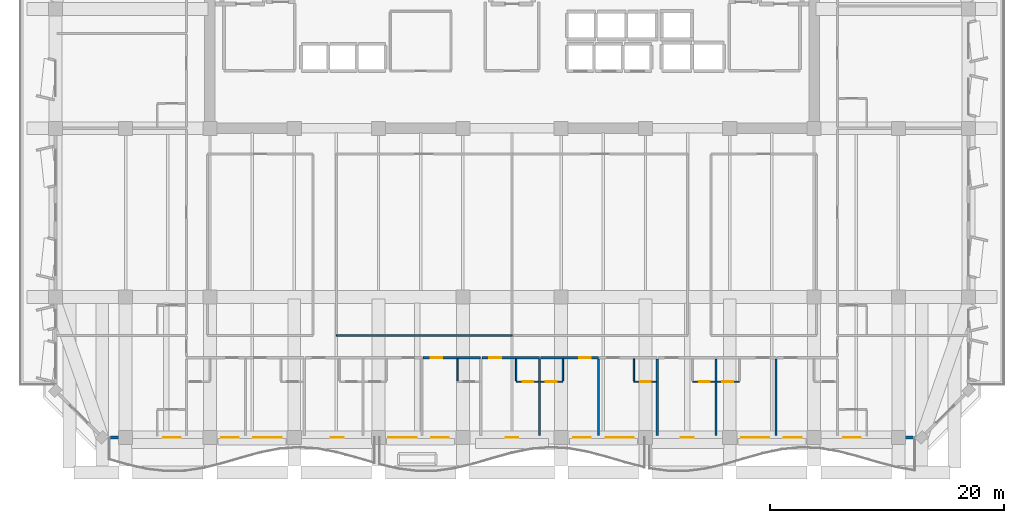
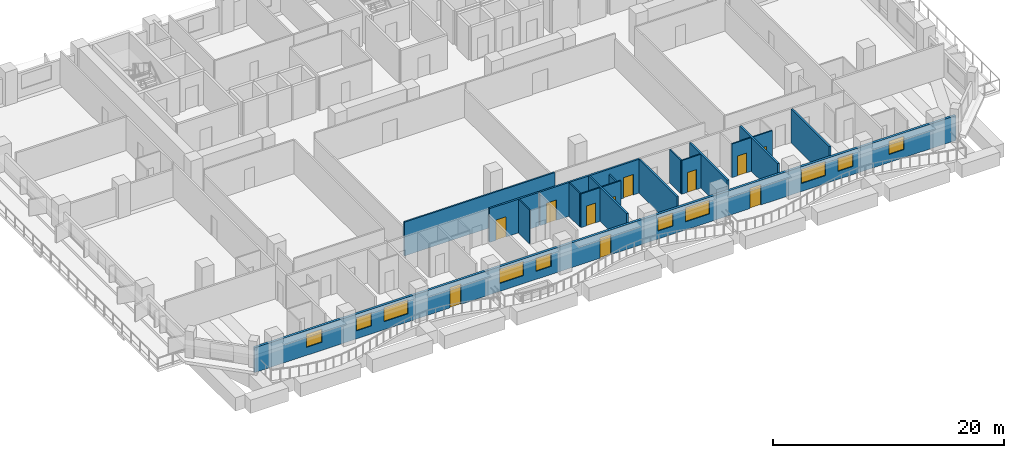
# One storey, part 6 of 16: 19 walls, 11 doors, 10 windows, 21 openings.
"""IFC4 building model written with IfcOpenShell, lengths in metres."""

import ifcopenshell
import ifcopenshell.guid

model = None  # the IFC model being written
_history = None  # IfcOwnerHistory: only IFC2X3 demands one
_inside = {}  # id of a spatial element -> (the spatial element, [elements in it])
_under = {}  # id of a project, library or spatial element -> (it, [spatial elements below it])
_declared = {}  # id of a project -> (the project, [libraries it declares])
_typed = {}  # id of a type object -> (the type object, [elements of that type])
_made_of = {}  # id of a material, layer set ... -> (it, [elements and type objects made of it])


def new_model(schema):
    """Start an empty IFC model of exactly this schema.

    Asked for "IFC4X3", IfcOpenShell would pick the latest addendum, in which some entities
    have other attributes; the version numbers below select the first issue.
    IFC2X3 requires an IfcOwnerHistory on every rooted entity: one is made here for all.
    """
    global model, _history
    if schema == "IFC4X3":
        model = ifcopenshell.file(schema_version=(4, 3, 0, 0))
    else:
        model = ifcopenshell.file(schema=schema)
    _inside.clear()
    _under.clear()
    _declared.clear()
    _typed.clear()
    _made_of.clear()
    _history = None
    if model.schema == "IFC2X3":
        org = make("IfcOrganization", Name="unknown")
        user = make(
            "IfcPersonAndOrganization",
            ThePerson=make("IfcPerson", FamilyName="unknown"),
            TheOrganization=org,
        )
        app = make(
            "IfcApplication",
            ApplicationDeveloper=org,
            Version="unknown",
            ApplicationFullName="unknown",
            ApplicationIdentifier="unknown",
        )
        _history = make(
            "IfcOwnerHistory",
            OwningUser=user,
            OwningApplication=app,
            ChangeAction="ADDED",
            CreationDate=0,
        )
    return model


def make(cls, **values):
    """One entity of the class cls with the attributes given. An attribute that is None is left unset."""
    return model.create_entity(
        cls, **{name: value for name, value in values.items() if value is not None}
    )


def rooted(cls, **values):
    """An entity with a GlobalId (a new one), such as an element, a storey or a relation."""
    return make(cls, GlobalId=ifcopenshell.guid.new(), OwnerHistory=_history, **values)


def si_unit(unit_type, name, prefix=None):
    """IfcSIUnit, for example si_unit("LENGTHUNIT", "METRE", prefix="MILLI")."""
    return make("IfcSIUnit", UnitType=unit_type, Prefix=prefix, Name=name)


def assignment(units):
    """IfcUnitAssignment: the units of a project."""
    return None if units is None else make("IfcUnitAssignment", Units=units)


def point(xyz):
    """IfcCartesianPoint."""
    return None if xyz is None else make("IfcCartesianPoint", Coordinates=xyz)


def direction(xyz):
    """IfcDirection."""
    return None if xyz is None else make("IfcDirection", DirectionRatios=xyz)


def frame(location, z_axis=None, x_axis=None):
    """IfcAxis2Placement3D, a coordinate frame: its origin and axes. An axis left out is left unset."""
    return make(
        "IfcAxis2Placement3D",
        Location=point(location),
        Axis=direction(z_axis),
        RefDirection=direction(x_axis),
    )


def frame_2d(location, x_axis=None):
    """IfcAxis2Placement2D, a coordinate frame in the plane: its origin and x axis."""
    return make(
        "IfcAxis2Placement2D", Location=point(location), RefDirection=direction(x_axis)
    )


def origin():
    """The frame at (0, 0, 0) with its axes left unset."""
    return frame((0.0, 0.0, 0.0))


def place(relative_to, where):
    """IfcLocalPlacement: puts the frame where relative to a parent placement (None: the world)."""
    return make(
        "IfcLocalPlacement", PlacementRelTo=relative_to, RelativePlacement=where
    )


def context(
    kind, dimensions, precision=None, world=None, true_north=None, identifier=None
):
    """IfcGeometricRepresentationContext, for example the 3D "Model" context."""
    return make(
        "IfcGeometricRepresentationContext",
        ContextIdentifier=identifier,
        ContextType=kind,
        CoordinateSpaceDimension=dimensions,
        Precision=precision,
        WorldCoordinateSystem=world,
        TrueNorth=true_north,
    )


def subcontext(parent, identifier, kind, view, scale=None):
    """IfcGeometricRepresentationSubContext, for example "Body" below "Model"."""
    return make(
        "IfcGeometricRepresentationSubContext",
        ContextIdentifier=identifier,
        ContextType=kind,
        ParentContext=parent,
        TargetScale=scale,
        TargetView=view,
    )


def project(units=None, contexts=None):
    """IfcProject with its units and contexts."""
    return rooted(
        "IfcProject",
        Name="project",
        RepresentationContexts=contexts,
        UnitsInContext=assignment(units),
    )


def spatial(cls, under=None, at=None, **own):
    """A site, building, storey or space (cls), placed at a placement, below another one or the project."""
    s = rooted(cls, ObjectPlacement=at, **own)
    if under is not None:
        _under.setdefault(under.id(), (under, []))[1].append(s)
    return s


def profile(cls, at=None, kind="AREA", **sizes):
    """A parametric profile (cls). Its sizes go by their IFC names, for example OverallWidth=200.0."""
    return make(cls, ProfileType=kind, Position=at, **sizes)


def rectangle(**sizes):
    """IfcRectangleProfileDef."""
    return profile("IfcRectangleProfileDef", **sizes)


def extrude(swept, where, along, depth):
    """IfcExtrudedAreaSolid: the profile swept, set in the frame where, extruded along a direction by depth."""
    return make(
        "IfcExtrudedAreaSolid",
        SweptArea=swept,
        Position=where,
        ExtrudedDirection=direction(along),
        Depth=depth,
    )


def shape(context_of_items, identifier, shape_type, items):
    """IfcShapeRepresentation: the items that make up one representation, for example the "Body"."""
    return make(
        "IfcShapeRepresentation",
        ContextOfItems=context_of_items,
        RepresentationIdentifier=identifier,
        RepresentationType=shape_type,
        Items=items,
    )


def material(Name=None, Category=None):
    """IfcMaterial."""
    return make("IfcMaterial", Name=Name, Category=Category)


def layer(
    of_material, thickness, ventilated=None, Name=None, Category=None, Priority=None
):
    """IfcMaterialLayer: one layer of a wall or slab, of a material (None: an air gap)."""
    return make(
        "IfcMaterialLayer",
        Material=of_material,
        LayerThickness=thickness,
        IsVentilated=ventilated,
        Name=Name,
        Category=Category,
        Priority=Priority,
    )


def layer_set(layers, Name=None):
    """IfcMaterialLayerSet."""
    return make("IfcMaterialLayerSet", MaterialLayers=layers, LayerSetName=Name)


def made_of(thing, what):
    """Note that an element or type object is made of a material, layer set ...; save() writes the relation."""
    if what is not None:
        _made_of.setdefault(what.id(), (what, []))[1].append(thing)
    return thing


def type_object(cls, material=None, **own):
    """A type object (cls), such as IfcWallType, which elements share."""
    return made_of(rooted(cls, **own), material)


def element(
    cls,
    number,
    at=None,
    inside=None,
    cuts=None,
    type_object=None,
    material=None,
    context=None,
    identifier="Body",
    shape_type=None,
    held_by="IfcProductDefinitionShape",
    body=None,
    shapes=None,
    **own,
):
    """One element of the class cls, such as IfcWall. Its Tag is "e" and its number.

    at: its placement. inside: the storey or other place that contains it. cuts: it is an
    opening in that element (IfcRelVoidsElement). A single representation is given by context,
    identifier, shape_type and body (its items); several are given by shapes. held_by: the class
    of the entity that holds the representations. save() writes the other relations.
    """
    e = rooted(cls, Tag="e%d" % number, ObjectPlacement=at, **own)
    if body is not None:
        shapes = [shape(context, identifier, shape_type, body)]
    if shapes is not None:
        e.Representation = make(held_by, Representations=shapes)
    if inside is not None:
        _inside.setdefault(inside.id(), (inside, []))[1].append(e)
    if cuts is not None:
        rooted(
            "IfcRelVoidsElement", RelatingBuildingElement=cuts, RelatedOpeningElement=e
        )
    if type_object is not None:
        _typed.setdefault(type_object.id(), (type_object, []))[1].append(e)
    return made_of(e, material)


def fill(opening, filler):
    """IfcRelFillsElement: the door or window that sits in an opening."""
    return rooted(
        "IfcRelFillsElement",
        RelatingOpeningElement=opening,
        RelatedBuildingElement=filler,
    )


def aggregate(whole, parts):
    """IfcRelAggregates: a whole, such as a stair, and the parts it consists of."""
    return rooted("IfcRelAggregates", RelatingObject=whole, RelatedObjects=parts)


def save(model, path):
    """Write the relations noted so far, then the file.

    IfcRelAggregates (storeys below a building ...), IfcRelContainedInSpatialStructure (elements
    in a storey), IfcRelDefinesByType, IfcRelAssociatesMaterial and IfcRelDeclares: one each for
    every whole, place, type object, material and project.
    """
    for whole, parts in _under.values():
        aggregate(whole, parts)
    for where, things in _inside.values():
        rooted(
            "IfcRelContainedInSpatialStructure",
            RelatedElements=things,
            RelatingStructure=where,
        )
    for kind, things in _typed.values():
        rooted("IfcRelDefinesByType", RelatedObjects=things, RelatingType=kind)
    for what, things in _made_of.values():
        rooted("IfcRelAssociatesMaterial", RelatedObjects=things, RelatingMaterial=what)
    for by, libraries in _declared.values():
        rooted("IfcRelDeclares", RelatingContext=by, RelatedDefinitions=libraries)
    model.write(path)


model = new_model("IFC4")

# Units and contexts
model_context = context("Model", 3, precision=1e-05, world=origin(), true_north=direction((0.0, 1.0)))
body_context = subcontext(model_context, "Body", "Model", "MODEL_VIEW")
ifc_project = project(units=[si_unit("LENGTHUNIT", "METRE"), si_unit("AREAUNIT", "SQUARE_METRE"), si_unit("VOLUMEUNIT", "CUBIC_METRE"), si_unit("PLANEANGLEUNIT", "RADIAN"), si_unit("MASSUNIT", "GRAM", prefix="KILO")], contexts=[model_context])

# Site, building, storey
site_placement = place(None, origin())
site = spatial("IfcSite", under=ifc_project, at=site_placement, CompositionType="ELEMENT")
building_placement = place(site_placement, origin())
building = spatial("IfcBuilding", under=site, at=building_placement, Name="Kaelvorn Grand Hotel", CompositionType="ELEMENT")
storey_placement = place(building_placement, frame((0.0, 0.0, 135.35009765625)))
storey = spatial("IfcBuildingStorey", under=building, at=storey_placement, Name="L32", CompositionType="ELEMENT", Elevation=135.35009765625)

# Wall, openings, doors, windows
ifc_material_1 = material(Name="Concrete C40/50", Category="concrete")
ifc_layer_1 = layer(ifc_material_1, 0.239990234375)
ifc_layer_set_1 = layer_set([ifc_layer_1], Name="Concrete C40/50")
wall_type_1 = type_object("IfcWallType", Name="WL-EXT-240-C40", PredefinedType="SOLIDWALL", material=ifc_layer_set_1)
wall_1_placement = place(storey_placement, frame((7.0, 3.0, 0.0), z_axis=(0.0, 0.0, 1.0), x_axis=(1.0, 0.0, 0.0)))
wall_1 = element("IfcWall", 1, at=wall_1_placement, inside=storey, type_object=wall_type_1, Name="L32 Exterior Architectural Concrete Wall 01", PredefinedType="SOLIDWALL", context=body_context, shape_type="SweptSolid", body=[
    extrude(rectangle(XDim=70.0, YDim=0.239990234375, at=frame_2d((35.0, 0.0))), origin(), (0.0, 0.0, 1.0), 2.60986328125),
])
opening_1_placement = place(wall_1_placement, frame((19.5166015625, 0.0, 0.0)))
opening_1 = element("IfcOpeningElement", 2, at=opening_1_placement, cuts=wall_1, Name="Opening DE2", PredefinedType="OPENING", context=body_context, shape_type="SweptSolid", body=[
    extrude(rectangle(XDim=1.10009765625, YDim=2.14990234375, at=frame_2d((0.550048828125, 1.074951171875))), frame((0.0, 0.1298828125, 0.0), z_axis=(0.0, -1.0, 0.0), x_axis=(1.0, 0.0, 0.0)), (0.0, 0.0, 1.0), 0.260009765625),
])
opening_2_placement = place(wall_1_placement, frame((34.449951171875, 0.0, 0.0)))
opening_2 = element("IfcOpeningElement", 3, at=opening_2_placement, cuts=wall_1, Name="Opening DE2", PredefinedType="OPENING", context=body_context, shape_type="SweptSolid", body=[
    extrude(rectangle(XDim=1.10009765625, YDim=2.14990234375, at=frame_2d((0.550048828125, 1.074951171875))), frame((0.0, 0.1298828125, 0.0), z_axis=(0.0, -1.0, 0.0), x_axis=(1.0, 0.0, 0.0)), (0.0, 0.0, 1.0), 0.260009765625),
])
opening_3_placement = place(wall_1_placement, frame((49.42138671875, 0.0, 0.0)))
opening_3 = element("IfcOpeningElement", 4, at=opening_3_placement, cuts=wall_1, Name="Opening DE2", PredefinedType="OPENING", context=body_context, shape_type="SweptSolid", body=[
    extrude(rectangle(XDim=1.10009765625, YDim=2.14990234375, at=frame_2d((0.550048828125, 1.074951171875))), frame((0.0, 0.1298828125, 0.0), z_axis=(0.0, -1.0, 0.0), x_axis=(1.0, 0.0, 0.0)), (0.0, 0.0, 1.0), 0.260009765625),
])
opening_4_placement = place(wall_1_placement, frame((5.199951171875, 0.0, 0.85009765625)))
opening_4 = element("IfcOpeningElement", 5, at=opening_4_placement, cuts=wall_1, Name="Opening W10", PredefinedType="OPENING", context=body_context, shape_type="SweptSolid", body=[
    extrude(rectangle(XDim=1.5, YDim=1.39990234375, at=frame_2d((0.75, 0.699951171875))), frame((0.0, 0.1298828125, 0.0), z_axis=(0.0, -1.0, 0.0), x_axis=(1.0, 0.0, 0.0)), (0.0, 0.0, 1.0), 0.260009765625),
])
opening_5_placement = place(wall_1_placement, frame((10.16259765625, 0.0, 0.85009765625)))
opening_5 = element("IfcOpeningElement", 6, at=opening_5_placement, cuts=wall_1, Name="Opening W10", PredefinedType="OPENING", context=body_context, shape_type="SweptSolid", body=[
    extrude(rectangle(XDim=1.5, YDim=1.39990234375, at=frame_2d((0.75, 0.699951171875))), frame((0.0, 0.1298828125, 0.0), z_axis=(0.0, -1.0, 0.0), x_axis=(1.0, 0.0, 0.0)), (0.0, 0.0, 1.0), 0.260009765625),
])
opening_6_placement = place(wall_1_placement, frame((12.91259765625, 0.0, 0.85009765625)))
opening_6 = element("IfcOpeningElement", 7, at=opening_6_placement, cuts=wall_1, Name="Opening W6", PredefinedType="OPENING", context=body_context, shape_type="SweptSolid", body=[
    extrude(rectangle(XDim=2.39990234375, YDim=1.5, at=frame_2d((1.199951171875, 0.75))), frame((0.0, 0.1298828125, 0.0), z_axis=(0.0, -1.0, 0.0), x_axis=(1.0, 0.0, 0.0)), (0.0, 0.0, 1.0), 0.260009765625),
])
opening_7_placement = place(wall_1_placement, frame((24.450439453125, 0.0, 0.85009765625)))
opening_7 = element("IfcOpeningElement", 8, at=opening_7_placement, cuts=wall_1, Name="Opening W6", PredefinedType="OPENING", context=body_context, shape_type="SweptSolid", body=[
    extrude(rectangle(XDim=2.39990234375, YDim=1.5, at=frame_2d((1.199951171875, 0.75))), frame((0.0, 0.1298828125, 0.0), z_axis=(0.0, -1.0, 0.0), x_axis=(1.0, 0.0, 0.0)), (0.0, 0.0, 1.0), 0.260009765625),
])
opening_8_placement = place(wall_1_placement, frame((28.1005859375, 0.0, 0.85009765625)))
opening_8 = element("IfcOpeningElement", 9, at=opening_8_placement, cuts=wall_1, Name="Opening W10", PredefinedType="OPENING", context=body_context, shape_type="SweptSolid", body=[
    extrude(rectangle(XDim=1.5, YDim=1.39990234375, at=frame_2d((0.75, 0.699951171875))), frame((0.0, 0.1298828125, 0.0), z_axis=(0.0, -1.0, 0.0), x_axis=(1.0, 0.0, 0.0)), (0.0, 0.0, 1.0), 0.260009765625),
])
opening_9_placement = place(wall_1_placement, frame((40.239013671875, 0.0, 0.85009765625)))
opening_9 = element("IfcOpeningElement", 10, at=opening_9_placement, cuts=wall_1, Name="Opening W10", PredefinedType="OPENING", context=body_context, shape_type="SweptSolid", body=[
    extrude(rectangle(XDim=1.5, YDim=1.39990234375, at=frame_2d((0.75, 0.699951171875))), frame((0.0, 0.1298828125, 0.0), z_axis=(0.0, -1.0, 0.0), x_axis=(1.0, 0.0, 0.0)), (0.0, 0.0, 1.0), 0.260009765625),
])
opening_10_placement = place(wall_1_placement, frame((42.989013671875, 0.0, 0.85009765625)))
opening_10 = element("IfcOpeningElement", 11, at=opening_10_placement, cuts=wall_1, Name="Opening W6", PredefinedType="OPENING", context=body_context, shape_type="SweptSolid", body=[
    extrude(rectangle(XDim=2.39990234375, YDim=1.5, at=frame_2d((1.199951171875, 0.75))), frame((0.0, 0.1298828125, 0.0), z_axis=(0.0, -1.0, 0.0), x_axis=(1.0, 0.0, 0.0)), (0.0, 0.0, 1.0), 0.260009765625),
])
opening_11_placement = place(wall_1_placement, frame((54.58056640625, 0.0, 0.85009765625)))
opening_11 = element("IfcOpeningElement", 12, at=opening_11_placement, cuts=wall_1, Name="Opening W6", PredefinedType="OPENING", context=body_context, shape_type="SweptSolid", body=[
    extrude(rectangle(XDim=2.39990234375, YDim=1.5, at=frame_2d((1.199951171875, 0.75))), frame((0.0, 0.1298828125, 0.0), z_axis=(0.0, -1.0, 0.0), x_axis=(1.0, 0.0, 0.0)), (0.0, 0.0, 1.0), 0.260009765625),
])
opening_12_placement = place(wall_1_placement, frame((58.23046875, 0.0, 0.85009765625)))
opening_12 = element("IfcOpeningElement", 13, at=opening_12_placement, cuts=wall_1, Name="Opening W10", PredefinedType="OPENING", context=body_context, shape_type="SweptSolid", body=[
    extrude(rectangle(XDim=1.5, YDim=1.39990234375, at=frame_2d((0.75, 0.699951171875))), frame((0.0, 0.1298828125, 0.0), z_axis=(0.0, -1.0, 0.0), x_axis=(1.0, 0.0, 0.0)), (0.0, 0.0, 1.0), 0.260009765625),
])
opening_13_placement = place(wall_1_placement, frame((63.300048828125, 0.0, 0.85009765625)))
opening_13 = element("IfcOpeningElement", 14, at=opening_13_placement, cuts=wall_1, Name="Opening W10", PredefinedType="OPENING", context=body_context, shape_type="SweptSolid", body=[
    extrude(rectangle(XDim=1.5, YDim=1.39990234375, at=frame_2d((0.75, 0.699951171875))), frame((0.0, 0.1298828125, 0.0), z_axis=(0.0, -1.0, 0.0), x_axis=(1.0, 0.0, 0.0)), (0.0, 0.0, 1.0), 0.260009765625),
])
ifc_material_2 = material(Name="Anodised Aluminium", Category="aluminium")
door_type_1 = type_object("IfcDoorType", Name="DR-EXT-BALC-1100x2150", OperationType="NOTDEFINED", PredefinedType="DOOR", material=ifc_material_2)
door_1_placement = place(opening_1_placement, origin())
door_1 = element("IfcDoor", 15, at=door_1_placement, inside=storey, type_object=door_type_1, Name="L32 Scalloped Balcony Glazed Door DE2-1", OperationType="SINGLE_SWING_RIGHT", OverallHeight=2.14990234375, OverallWidth=1.10009765625, PredefinedType="DOOR", context=body_context, shape_type="SweptSolid", body=[
    extrude(rectangle(XDim=1.10009765625, YDim=2.14990234375, at=frame_2d((0.550048828125, 1.074951171875))), frame((0.0, 0.02490234375, 0.0), z_axis=(0.0, -1.0, 0.0), x_axis=(1.0, 0.0, 0.0)), (0.0, 0.0, 1.0), 0.050048828125),
])
fill(opening_1, door_1)
door_2_placement = place(opening_2_placement, origin())
door_2 = element("IfcDoor", 16, at=door_2_placement, inside=storey, type_object=door_type_1, Name="L32 Scalloped Balcony Glazed Door DE2-2", OperationType="SINGLE_SWING_LEFT", OverallHeight=2.14990234375, OverallWidth=1.10009765625, PredefinedType="DOOR", context=body_context, shape_type="SweptSolid", body=[
    extrude(rectangle(XDim=1.10009765625, YDim=2.14990234375, at=frame_2d((0.550048828125, 1.074951171875))), frame((0.0, 0.02490234375, 0.0), z_axis=(0.0, -1.0, 0.0), x_axis=(1.0, 0.0, 0.0)), (0.0, 0.0, 1.0), 0.050048828125),
])
fill(opening_2, door_2)
door_3_placement = place(opening_3_placement, origin())
door_3 = element("IfcDoor", 17, at=door_3_placement, inside=storey, type_object=door_type_1, Name="L32 Scalloped Balcony Glazed Door DE2-3", OperationType="SINGLE_SWING_RIGHT", OverallHeight=2.14990234375, OverallWidth=1.10009765625, PredefinedType="DOOR", context=body_context, shape_type="SweptSolid", body=[
    extrude(rectangle(XDim=1.10009765625, YDim=2.14990234375, at=frame_2d((0.550048828125, 1.074951171875))), frame((0.0, 0.02490234375, 0.0), z_axis=(0.0, -1.0, 0.0), x_axis=(1.0, 0.0, 0.0)), (0.0, 0.0, 1.0), 0.050048828125),
])
fill(opening_3, door_3)
ifc_material_3 = material(Name="Laminated Low-E Glass", Category="glass")
window_type_1 = type_object("IfcWindowType", Name="WIN-COR-1500x1400", PartitioningType="SINGLE_PANEL", PredefinedType="WINDOW", material=ifc_material_3)
window_1_placement = place(opening_4_placement, origin())
window_1 = element("IfcWindow", 18, at=window_1_placement, inside=storey, type_object=window_type_1, Name="L32 South Guestroom Ribbon Window SR01", OverallHeight=1.39990234375, OverallWidth=1.5, PartitioningType="SINGLE_PANEL", PredefinedType="WINDOW", context=body_context, shape_type="SweptSolid", body=[
    extrude(rectangle(XDim=1.5, YDim=1.39990234375, at=frame_2d((0.75, 0.699951171875))), frame((0.0, 0.030029296875, 0.0), z_axis=(0.0, -1.0, 0.0), x_axis=(1.0, 0.0, 0.0)), (0.0, 0.0, 1.0), 0.06005859375),
])
fill(opening_4, window_1)
window_2_placement = place(opening_5_placement, origin())
window_2 = element("IfcWindow", 19, at=window_2_placement, inside=storey, type_object=window_type_1, Name="L32 South Guestroom Ribbon Window SR02", OverallHeight=1.39990234375, OverallWidth=1.5, PartitioningType="SINGLE_PANEL", PredefinedType="WINDOW", context=body_context, shape_type="SweptSolid", body=[
    extrude(rectangle(XDim=1.5, YDim=1.39990234375, at=frame_2d((0.75, 0.699951171875))), frame((0.0, 0.030029296875, 0.0), z_axis=(0.0, -1.0, 0.0), x_axis=(1.0, 0.0, 0.0)), (0.0, 0.0, 1.0), 0.06005859375),
])
fill(opening_5, window_2)
window_3_placement = place(opening_8_placement, origin())
window_3 = element("IfcWindow", 20, at=window_3_placement, inside=storey, type_object=window_type_1, Name="L32 South Guestroom Ribbon Window SR05", OverallHeight=1.39990234375, OverallWidth=1.5, PartitioningType="SINGLE_PANEL", PredefinedType="WINDOW", context=body_context, shape_type="SweptSolid", body=[
    extrude(rectangle(XDim=1.5, YDim=1.39990234375, at=frame_2d((0.75, 0.699951171875))), frame((0.0, 0.030029296875, 0.0), z_axis=(0.0, -1.0, 0.0), x_axis=(1.0, 0.0, 0.0)), (0.0, 0.0, 1.0), 0.06005859375),
])
fill(opening_8, window_3)
window_4_placement = place(opening_9_placement, origin())
window_4 = element("IfcWindow", 21, at=window_4_placement, inside=storey, type_object=window_type_1, Name="L32 South Guestroom Ribbon Window SR06", OverallHeight=1.39990234375, OverallWidth=1.5, PartitioningType="SINGLE_PANEL", PredefinedType="WINDOW", context=body_context, shape_type="SweptSolid", body=[
    extrude(rectangle(XDim=1.5, YDim=1.39990234375, at=frame_2d((0.75, 0.699951171875))), frame((0.0, 0.030029296875, 0.0), z_axis=(0.0, -1.0, 0.0), x_axis=(1.0, 0.0, 0.0)), (0.0, 0.0, 1.0), 0.06005859375),
])
fill(opening_9, window_4)
window_5_placement = place(opening_12_placement, origin())
window_5 = element("IfcWindow", 22, at=window_5_placement, inside=storey, type_object=window_type_1, Name="L32 South Guestroom Ribbon Window SR09", OverallHeight=1.39990234375, OverallWidth=1.5, PartitioningType="SINGLE_PANEL", PredefinedType="WINDOW", context=body_context, shape_type="SweptSolid", body=[
    extrude(rectangle(XDim=1.5, YDim=1.39990234375, at=frame_2d((0.75, 0.699951171875))), frame((0.0, 0.030029296875, 0.0), z_axis=(0.0, -1.0, 0.0), x_axis=(1.0, 0.0, 0.0)), (0.0, 0.0, 1.0), 0.06005859375),
])
fill(opening_12, window_5)
window_6_placement = place(opening_13_placement, origin())
window_6 = element("IfcWindow", 23, at=window_6_placement, inside=storey, type_object=window_type_1, Name="L32 South Guestroom Ribbon Window SR10", OverallHeight=1.39990234375, OverallWidth=1.5, PartitioningType="SINGLE_PANEL", PredefinedType="WINDOW", context=body_context, shape_type="SweptSolid", body=[
    extrude(rectangle(XDim=1.5, YDim=1.39990234375, at=frame_2d((0.75, 0.699951171875))), frame((0.0, 0.030029296875, 0.0), z_axis=(0.0, -1.0, 0.0), x_axis=(1.0, 0.0, 0.0)), (0.0, 0.0, 1.0), 0.06005859375),
])
fill(opening_13, window_6)
window_type_2 = type_object("IfcWindowType", Name="WIN-NTH-2400x1500", PartitioningType="SINGLE_PANEL", PredefinedType="WINDOW", material=ifc_material_3)
window_7_placement = place(opening_6_placement, origin())
window_7 = element("IfcWindow", 24, at=window_7_placement, inside=storey, type_object=window_type_2, Name="L32 South Guestroom Ribbon Window SR03", OverallHeight=1.5, OverallWidth=2.39990234375, PartitioningType="SINGLE_PANEL", PredefinedType="WINDOW", context=body_context, shape_type="SweptSolid", body=[
    extrude(rectangle(XDim=2.39990234375, YDim=1.5, at=frame_2d((1.199951171875, 0.75))), frame((0.0, 0.030029296875, 0.0), z_axis=(0.0, -1.0, 0.0), x_axis=(1.0, 0.0, 0.0)), (0.0, 0.0, 1.0), 0.06005859375),
])
fill(opening_6, window_7)
window_8_placement = place(opening_7_placement, origin())
window_8 = element("IfcWindow", 25, at=window_8_placement, inside=storey, type_object=window_type_2, Name="L32 South Guestroom Ribbon Window SR04", OverallHeight=1.5, OverallWidth=2.39990234375, PartitioningType="SINGLE_PANEL", PredefinedType="WINDOW", context=body_context, shape_type="SweptSolid", body=[
    extrude(rectangle(XDim=2.39990234375, YDim=1.5, at=frame_2d((1.199951171875, 0.75))), frame((0.0, 0.030029296875, 0.0), z_axis=(0.0, -1.0, 0.0), x_axis=(1.0, 0.0, 0.0)), (0.0, 0.0, 1.0), 0.06005859375),
])
fill(opening_7, window_8)
window_9_placement = place(opening_10_placement, origin())
window_9 = element("IfcWindow", 26, at=window_9_placement, inside=storey, type_object=window_type_2, Name="L32 South Guestroom Ribbon Window SR07", OverallHeight=1.5, OverallWidth=2.39990234375, PartitioningType="SINGLE_PANEL", PredefinedType="WINDOW", context=body_context, shape_type="SweptSolid", body=[
    extrude(rectangle(XDim=2.39990234375, YDim=1.5, at=frame_2d((1.199951171875, 0.75))), frame((0.0, 0.030029296875, 0.0), z_axis=(0.0, -1.0, 0.0), x_axis=(1.0, 0.0, 0.0)), (0.0, 0.0, 1.0), 0.06005859375),
])
fill(opening_10, window_9)
window_10_placement = place(opening_11_placement, origin())
window_10 = element("IfcWindow", 27, at=window_10_placement, inside=storey, type_object=window_type_2, Name="L32 South Guestroom Ribbon Window SR08", OverallHeight=1.5, OverallWidth=2.39990234375, PartitioningType="SINGLE_PANEL", PredefinedType="WINDOW", context=body_context, shape_type="SweptSolid", body=[
    extrude(rectangle(XDim=2.39990234375, YDim=1.5, at=frame_2d((1.199951171875, 0.75))), frame((0.0, 0.030029296875, 0.0), z_axis=(0.0, -1.0, 0.0), x_axis=(1.0, 0.0, 0.0)), (0.0, 0.0, 1.0), 0.06005859375),
])
fill(opening_11, window_10)

# Wall
ifc_material_4 = material(Name="Moisture-Resistant Tile & Stud Board")
ifc_layer_2 = layer(ifc_material_4, 0.125)
ifc_layer_set_2 = layer_set([ifc_layer_2], Name="Moisture-Resistant Tile & Stud Board")
wall_type_2 = type_object("IfcWallType", Name="WL-PART-125-WET", PredefinedType="PARTITIONING", material=ifc_layer_set_2)
wall_2_placement = place(storey_placement, frame((37.326904296875, 7.8173828125, 0.0), z_axis=(0.0, 0.0, 1.0), x_axis=(0.0, 1.0, 0.0)))
element("IfcWall", 28, at=wall_2_placement, inside=storey, type_object=wall_type_2, Name="L32 En-suite Bathroom L32-05 W Partition", PredefinedType="PARTITIONING", context=body_context, shape_type="SweptSolid", body=[
    extrude(rectangle(XDim=1.8876953125, YDim=0.125, at=frame_2d((0.94384765625, 0.0))), origin(), (0.0, 0.0, 1.0), 3.559814453125),
])

# Wall, opening, door
wall_3_placement = place(storey_placement, frame((42.352294921875, 7.75, 0.0), z_axis=(0.0, 0.0, 1.0), x_axis=(1.0, 0.0, 0.0)))
wall_3 = element("IfcWall", 29, at=wall_3_placement, inside=storey, type_object=wall_type_2, Name="L32 En-suite Bathroom L32-06 S Partition", PredefinedType="PARTITIONING", context=body_context, shape_type="SweptSolid", body=[
    extrude(rectangle(XDim=1.905029296875, YDim=0.125, at=frame_2d((0.95263671875, 0.0))), origin(), (0.0, 0.0, 1.0), 3.559814453125),
])
opening_14_placement = place(wall_3_placement, frame((0.550048828125, 0.0, 0.0)))
opening_14 = element("IfcOpeningElement", 30, at=opening_14_placement, cuts=wall_3, Name="Opening DI4", PredefinedType="OPENING", context=body_context, shape_type="SweptSolid", body=[
    extrude(rectangle(XDim=0.89990234375, YDim=2.10009765625, at=frame_2d((0.449951171875, 1.050048828125))), frame((0.0, 0.072509765625, 0.0), z_axis=(0.0, -1.0, 0.0), x_axis=(1.0, 0.0, 0.0)), (0.0, 0.0, 1.0), 0.14501953125),
])
ifc_material_5 = material(Name="Timber Veneer Leaf", Category="wood")
door_type_2 = type_object("IfcDoorType", Name="DR-INT-BATH-900x2100", OperationType="NOTDEFINED", PredefinedType="DOOR", material=ifc_material_5)
door_4_placement = place(opening_14_placement, origin())
door_4 = element("IfcDoor", 31, at=door_4_placement, inside=storey, type_object=door_type_2, Name="L32 En-suite Bathroom L32-06 Door", OperationType="SINGLE_SWING_RIGHT", OverallHeight=2.10009765625, OverallWidth=0.89990234375, PredefinedType="DOOR", context=body_context, shape_type="SweptSolid", body=[
    extrude(rectangle(XDim=0.89990234375, YDim=2.10009765625, at=frame_2d((0.449951171875, 1.050048828125))), frame((0.0, 0.02490234375, 0.0), z_axis=(0.0, -1.0, 0.0), x_axis=(1.0, 0.0, 0.0)), (0.0, 0.0, 1.0), 0.050048828125),
])
fill(opening_14, door_4)

# Wall
wall_4_placement = place(storey_placement, frame((42.352294921875, 7.8173828125, 0.0), z_axis=(0.0, 0.0, 1.0), x_axis=(0.0, 1.0, 0.0)))
element("IfcWall", 32, at=wall_4_placement, inside=storey, type_object=wall_type_2, Name="L32 En-suite Bathroom L32-06 W Partition", PredefinedType="PARTITIONING", context=body_context, shape_type="SweptSolid", body=[
    extrude(rectangle(XDim=1.8876953125, YDim=0.125, at=frame_2d((0.94384765625, 0.0))), origin(), (0.0, 0.0, 1.0), 3.559814453125),
])

# Wall, opening, door
wall_5_placement = place(storey_placement, frame((44.447265625, 7.75, 0.0), z_axis=(0.0, 0.0, 1.0), x_axis=(1.0, 0.0, 0.0)))
wall_5 = element("IfcWall", 33, at=wall_5_placement, inside=storey, type_object=wall_type_2, Name="L32 En-suite Bathroom L32-07 S Partition", PredefinedType="PARTITIONING", context=body_context, shape_type="SweptSolid", body=[
    extrude(rectangle(XDim=1.905029296875, YDim=0.125, at=frame_2d((0.95263671875, 0.0))), origin(), (0.0, 0.0, 1.0), 3.559814453125),
])
opening_15_placement = place(wall_5_placement, frame((0.455078125, 0.0, 0.0)))
opening_15 = element("IfcOpeningElement", 34, at=opening_15_placement, cuts=wall_5, Name="Opening DI4", PredefinedType="OPENING", context=body_context, shape_type="SweptSolid", body=[
    extrude(rectangle(XDim=0.89990234375, YDim=2.10009765625, at=frame_2d((0.449951171875, 1.050048828125))), frame((0.0, 0.072509765625, 0.0), z_axis=(0.0, -1.0, 0.0), x_axis=(1.0, 0.0, 0.0)), (0.0, 0.0, 1.0), 0.14501953125),
])
door_5_placement = place(opening_15_placement, origin())
door_5 = element("IfcDoor", 35, at=door_5_placement, inside=storey, type_object=door_type_2, Name="L32 En-suite Bathroom L32-07 Door", OperationType="SINGLE_SWING_RIGHT", OverallHeight=2.10009765625, OverallWidth=0.89990234375, PredefinedType="DOOR", context=body_context, shape_type="SweptSolid", body=[
    extrude(rectangle(XDim=0.89990234375, YDim=2.10009765625, at=frame_2d((0.449951171875, 1.050048828125))), frame((0.0, 0.02490234375, 0.0), z_axis=(0.0, -1.0, 0.0), x_axis=(1.0, 0.0, 0.0)), (0.0, 0.0, 1.0), 0.050048828125),
])
fill(opening_15, door_5)

# Wall
wall_6_placement = place(storey_placement, frame((46.352294921875, 7.8173828125, 0.0), z_axis=(0.0, 0.0, 1.0), x_axis=(0.0, 1.0, 0.0)))
element("IfcWall", 36, at=wall_6_placement, inside=storey, type_object=wall_type_2, Name="L32 En-suite Bathroom L32-07 E Partition", PredefinedType="PARTITIONING", context=body_context, shape_type="SweptSolid", body=[
    extrude(rectangle(XDim=1.8876953125, YDim=0.125, at=frame_2d((0.94384765625, 0.0))), origin(), (0.0, 0.0, 1.0), 3.010009765625),
])

# Wall, opening, door
wall_7_placement = place(storey_placement, frame((52.403076171875, 7.75, 0.0), z_axis=(0.0, 0.0, 1.0), x_axis=(1.0, 0.0, 0.0)))
wall_7 = element("IfcWall", 37, at=wall_7_placement, inside=storey, type_object=wall_type_2, Name="L32 En-suite Bathroom L32-08 S Partition", PredefinedType="PARTITIONING", context=body_context, shape_type="SweptSolid", body=[
    extrude(rectangle(XDim=1.905029296875, YDim=0.125, at=frame_2d((0.95263671875, 0.0))), origin(), (0.0, 0.0, 1.0), 3.559814453125),
])
opening_16_placement = place(wall_7_placement, frame((0.550048828125, 0.0, 0.0)))
opening_16 = element("IfcOpeningElement", 38, at=opening_16_placement, cuts=wall_7, Name="Opening DI4", PredefinedType="OPENING", context=body_context, shape_type="SweptSolid", body=[
    extrude(rectangle(XDim=0.89990234375, YDim=2.10009765625, at=frame_2d((0.449951171875, 1.050048828125))), frame((0.0, 0.072509765625, 0.0), z_axis=(0.0, -1.0, 0.0), x_axis=(1.0, 0.0, 0.0)), (0.0, 0.0, 1.0), 0.14501953125),
])
door_6_placement = place(opening_16_placement, origin())
door_6 = element("IfcDoor", 39, at=door_6_placement, inside=storey, type_object=door_type_2, Name="L32 En-suite Bathroom L32-08 Door", OperationType="SINGLE_SWING_RIGHT", OverallHeight=2.10009765625, OverallWidth=0.89990234375, PredefinedType="DOOR", context=body_context, shape_type="SweptSolid", body=[
    extrude(rectangle(XDim=0.89990234375, YDim=2.10009765625, at=frame_2d((0.449951171875, 1.050048828125))), frame((0.0, 0.02490234375, 0.0), z_axis=(0.0, -1.0, 0.0), x_axis=(1.0, 0.0, 0.0)), (0.0, 0.0, 1.0), 0.050048828125),
])
fill(opening_16, door_6)

# Wall
wall_8_placement = place(storey_placement, frame((52.403076171875, 7.8173828125, 0.0), z_axis=(0.0, 0.0, 1.0), x_axis=(0.0, 1.0, 0.0)))
element("IfcWall", 40, at=wall_8_placement, inside=storey, type_object=wall_type_2, Name="L32 En-suite Bathroom L32-08 W Partition", PredefinedType="PARTITIONING", context=body_context, shape_type="SweptSolid", body=[
    extrude(rectangle(XDim=1.8876953125, YDim=0.125, at=frame_2d((0.94384765625, 0.0))), origin(), (0.0, 0.0, 1.0), 3.559814453125),
])

# Wall, opening, door
wall_9_placement = place(storey_placement, frame((57.428466796875, 7.75, 0.0), z_axis=(0.0, 0.0, 1.0), x_axis=(1.0, 0.0, 0.0)))
wall_9 = element("IfcWall", 41, at=wall_9_placement, inside=storey, type_object=wall_type_2, Name="L32 En-suite Bathroom L32-09 S Partition", PredefinedType="PARTITIONING", context=body_context, shape_type="SweptSolid", body=[
    extrude(rectangle(XDim=1.905029296875, YDim=0.125, at=frame_2d((0.95263671875, 0.0))), origin(), (0.0, 0.0, 1.0), 3.559814453125),
])
opening_17_placement = place(wall_9_placement, frame((0.550048828125, 0.0, 0.0)))
opening_17 = element("IfcOpeningElement", 42, at=opening_17_placement, cuts=wall_9, Name="Opening DI4", PredefinedType="OPENING", context=body_context, shape_type="SweptSolid", body=[
    extrude(rectangle(XDim=0.89990234375, YDim=2.10009765625, at=frame_2d((0.449951171875, 1.050048828125))), frame((0.0, 0.072509765625, 0.0), z_axis=(0.0, -1.0, 0.0), x_axis=(1.0, 0.0, 0.0)), (0.0, 0.0, 1.0), 0.14501953125),
])
door_7_placement = place(opening_17_placement, origin())
door_7 = element("IfcDoor", 43, at=door_7_placement, inside=storey, type_object=door_type_2, Name="L32 En-suite Bathroom L32-09 Door", OperationType="SINGLE_SWING_RIGHT", OverallHeight=2.10009765625, OverallWidth=0.89990234375, PredefinedType="DOOR", context=body_context, shape_type="SweptSolid", body=[
    extrude(rectangle(XDim=0.89990234375, YDim=2.10009765625, at=frame_2d((0.449951171875, 1.050048828125))), frame((0.0, 0.02490234375, 0.0), z_axis=(0.0, -1.0, 0.0), x_axis=(1.0, 0.0, 0.0)), (0.0, 0.0, 1.0), 0.050048828125),
])
fill(opening_17, door_7)

wall_10_placement = place(storey_placement, frame((59.5234375, 7.75, 0.0), z_axis=(0.0, 0.0, 1.0), x_axis=(1.0, 0.0, 0.0)))
wall_10 = element("IfcWall", 44, at=wall_10_placement, inside=storey, type_object=wall_type_2, Name="L32 En-suite Bathroom L32-10 S Partition", PredefinedType="PARTITIONING", context=body_context, shape_type="SweptSolid", body=[
    extrude(rectangle(XDim=1.905029296875, YDim=0.125, at=frame_2d((0.95263671875, 0.0))), origin(), (0.0, 0.0, 1.0), 3.559814453125),
])
opening_18_placement = place(wall_10_placement, frame((0.455078125, 0.0, 0.0)))
opening_18 = element("IfcOpeningElement", 45, at=opening_18_placement, cuts=wall_10, Name="Opening DI4", PredefinedType="OPENING", context=body_context, shape_type="SweptSolid", body=[
    extrude(rectangle(XDim=0.89990234375, YDim=2.10009765625, at=frame_2d((0.449951171875, 1.050048828125))), frame((0.0, 0.072509765625, 0.0), z_axis=(0.0, -1.0, 0.0), x_axis=(1.0, 0.0, 0.0)), (0.0, 0.0, 1.0), 0.14501953125),
])
door_8_placement = place(opening_18_placement, origin())
door_8 = element("IfcDoor", 46, at=door_8_placement, inside=storey, type_object=door_type_2, Name="L32 En-suite Bathroom L32-10 Door", OperationType="SINGLE_SWING_RIGHT", OverallHeight=2.10009765625, OverallWidth=0.89990234375, PredefinedType="DOOR", context=body_context, shape_type="SweptSolid", body=[
    extrude(rectangle(XDim=0.89990234375, YDim=2.10009765625, at=frame_2d((0.449951171875, 1.050048828125))), frame((0.0, 0.02490234375, 0.0), z_axis=(0.0, -1.0, 0.0), x_axis=(1.0, 0.0, 0.0)), (0.0, 0.0, 1.0), 0.050048828125),
])
fill(opening_18, door_8)

# Wall
ifc_material_6 = material(Name="Acoustic Gypsum & Stud Partition")
ifc_layer_3 = layer(ifc_material_6, 0.14990234375)
ifc_layer_set_3 = layer_set([ifc_layer_3], Name="Acoustic Gypsum & Stud Partition")
wall_type_3 = type_object("IfcWallType", Name="WL-PART-150-EI60", PredefinedType="PARTITIONING", material=ifc_layer_set_3)
wall_11_placement = place(storey_placement, frame((27.0, 11.699951171875, 0.0), z_axis=(0.0, 0.0, 1.0), x_axis=(1.0, 0.0, 0.0)))
element("IfcWall", 47, at=wall_11_placement, inside=storey, type_object=wall_type_3, Name="L32 Guest Butler Kitchen S Partition", PredefinedType="PARTITIONING", context=body_context, shape_type="SweptSolid", body=[
    extrude(rectangle(XDim=15.0, YDim=0.14990234375, at=frame_2d((7.5, 0.0))), origin(), (0.0, 0.0, 1.0), 3.559814453125),
])

# Wall, opening, door
ifc_layer_4 = layer(ifc_material_6, 0.179931640625)
ifc_layer_set_4 = layer_set([ifc_layer_4], Name="Acoustic Gypsum & Stud Partition")
wall_type_4 = type_object("IfcWallType", Name="WL-PART-180-EI60", PredefinedType="PARTITIONING", material=ifc_layer_set_4)
wall_12_placement = place(storey_placement, frame((34.396484375, 9.800048828125, 0.0), z_axis=(0.0, 0.0, 1.0), x_axis=(1.0, 0.0, 0.0)))
wall_12 = element("IfcWall", 48, at=wall_12_placement, inside=storey, type_object=wall_type_4, Name="L32 Superior King Guest Room L32-05 N Partition", PredefinedType="PARTITIONING", context=body_context, shape_type="SweptSolid", body=[
    extrude(rectangle(XDim=4.930419921875, YDim=0.179931640625, at=frame_2d((2.46533203125, 0.0))), origin(), (0.0, 0.0, 1.0), 3.559814453125),
])
opening_19_placement = place(wall_12_placement, frame((0.64990234375, 0.0, 0.0)))
opening_19 = element("IfcOpeningElement", 49, at=opening_19_placement, cuts=wall_12, Name="Opening DI3", PredefinedType="OPENING", context=body_context, shape_type="SweptSolid", body=[
    extrude(rectangle(XDim=1.0, YDim=2.14990234375, at=frame_2d((0.5, 1.074951171875))), frame((0.0, 0.10009765625, 0.0), z_axis=(0.0, -1.0, 0.0), x_axis=(1.0, 0.0, 0.0)), (0.0, 0.0, 1.0), 0.199951171875),
])
ifc_material_7 = material(Name="Timber Veneer Fire Leaf", Category="wood")
door_type_3 = type_object("IfcDoorType", Name="DR-INT-GUEST-1000x2150", OperationType="NOTDEFINED", PredefinedType="DOOR", material=ifc_material_7)
door_9_placement = place(opening_19_placement, origin())
door_9 = element("IfcDoor", 50, at=door_9_placement, inside=storey, type_object=door_type_3, Name="L32 Superior King Guest Room L32-05 Door", OperationType="SINGLE_SWING_LEFT", OverallHeight=2.14990234375, OverallWidth=1.0, PredefinedType="DOOR", context=body_context, shape_type="SweptSolid", body=[
    extrude(rectangle(XDim=1.0, YDim=2.14990234375, at=frame_2d((0.5, 1.074951171875))), frame((0.0, 0.02490234375, 0.0), z_axis=(0.0, -1.0, 0.0), x_axis=(1.0, 0.0, 0.0)), (0.0, 0.0, 1.0), 0.050048828125),
])
fill(opening_19, door_9)

wall_13_placement = place(storey_placement, frame((39.421875, 9.800048828125, 0.0), z_axis=(0.0, 0.0, 1.0), x_axis=(1.0, 0.0, 0.0)))
wall_13 = element("IfcWall", 51, at=wall_13_placement, inside=storey, type_object=wall_type_4, Name="L32 Superior King Guest Room L32-06 N Partition", PredefinedType="PARTITIONING", context=body_context, shape_type="SweptSolid", body=[
    extrude(rectangle(XDim=4.930419921875, YDim=0.179931640625, at=frame_2d((2.46533203125, 0.0))), origin(), (0.0, 0.0, 1.0), 3.559814453125),
])
opening_20_placement = place(wall_13_placement, frame((0.64990234375, 0.0, 0.0)))
opening_20 = element("IfcOpeningElement", 52, at=opening_20_placement, cuts=wall_13, Name="Opening DI3", PredefinedType="OPENING", context=body_context, shape_type="SweptSolid", body=[
    extrude(rectangle(XDim=1.0, YDim=2.14990234375, at=frame_2d((0.5, 1.074951171875))), frame((0.0, 0.10009765625, 0.0), z_axis=(0.0, -1.0, 0.0), x_axis=(1.0, 0.0, 0.0)), (0.0, 0.0, 1.0), 0.199951171875),
])
door_10_placement = place(opening_20_placement, origin())
door_10 = element("IfcDoor", 53, at=door_10_placement, inside=storey, type_object=door_type_3, Name="L32 Superior King Guest Room L32-06 Door", OperationType="SINGLE_SWING_LEFT", OverallHeight=2.14990234375, OverallWidth=1.0, PredefinedType="DOOR", context=body_context, shape_type="SweptSolid", body=[
    extrude(rectangle(XDim=1.0, YDim=2.14990234375, at=frame_2d((0.5, 1.074951171875))), frame((0.0, 0.02490234375, 0.0), z_axis=(0.0, -1.0, 0.0), x_axis=(1.0, 0.0, 0.0)), (0.0, 0.0, 1.0), 0.050048828125),
])
fill(opening_20, door_10)

# Wall
wall_14_placement = place(storey_placement, frame((44.352294921875, 3.14990234375, 0.0), z_axis=(0.0, 0.0, 1.0), x_axis=(0.0, 1.0, 0.0)))
element("IfcWall", 54, at=wall_14_placement, inside=storey, type_object=wall_type_4, Name="L32 Superior King Guest Room L32-06 E Partition", PredefinedType="PARTITIONING", context=body_context, shape_type="SweptSolid", body=[
    extrude(rectangle(XDim=6.55517578125, YDim=0.179931640625, at=frame_2d((3.277587890625, 0.0))), origin(), (0.0, 0.0, 1.0), 3.559814453125),
])

# Wall, opening, door
wall_15_placement = place(storey_placement, frame((44.447265625, 9.800048828125, 0.0), z_axis=(0.0, 0.0, 1.0), x_axis=(1.0, 0.0, 0.0)))
wall_15 = element("IfcWall", 55, at=wall_15_placement, inside=storey, type_object=wall_type_4, Name="L32 Superior King Guest Room L32-07 N Partition", PredefinedType="PARTITIONING", context=body_context, shape_type="SweptSolid", body=[
    extrude(rectangle(XDim=4.930419921875, YDim=0.179931640625, at=frame_2d((2.46533203125, 0.0))), origin(), (0.0, 0.0, 1.0), 3.559814453125),
])
opening_21_placement = place(wall_15_placement, frame((3.280517578125, 0.0, 0.0)))
opening_21 = element("IfcOpeningElement", 56, at=opening_21_placement, cuts=wall_15, Name="Opening DI3", PredefinedType="OPENING", context=body_context, shape_type="SweptSolid", body=[
    extrude(rectangle(XDim=1.0, YDim=2.14990234375, at=frame_2d((0.5, 1.074951171875))), frame((0.0, 0.10009765625, 0.0), z_axis=(0.0, -1.0, 0.0), x_axis=(1.0, 0.0, 0.0)), (0.0, 0.0, 1.0), 0.199951171875),
])
door_11_placement = place(opening_21_placement, origin())
door_11 = element("IfcDoor", 57, at=door_11_placement, inside=storey, type_object=door_type_3, Name="L32 Superior King Guest Room L32-07 Door", OperationType="SINGLE_SWING_LEFT", OverallHeight=2.14990234375, OverallWidth=1.0, PredefinedType="DOOR", context=body_context, shape_type="SweptSolid", body=[
    extrude(rectangle(XDim=1.0, YDim=2.14990234375, at=frame_2d((0.5, 1.074951171875))), frame((0.0, 0.02490234375, 0.0), z_axis=(0.0, -1.0, 0.0), x_axis=(1.0, 0.0, 0.0)), (0.0, 0.0, 1.0), 0.050048828125),
])
fill(opening_21, door_11)

# Walls
for number, where, z_axis, x_axis, name in (
    (58, (49.377685546875, 3.14990234375, 0.0), (0.0, 0.0, 1.0), (0.0, 1.0, 0.0), "L32 Superior King Guest Room L32-07 E Partition"),
    (59, (54.403076171875, 3.14990234375, 0.0), (0.0, 0.0, 1.0), (0.0, 1.0, 0.0), "L32 Superior King Guest Room L32-08 E Partition"),
    (60, (59.428466796875, 3.14990234375, 0.0), (0.0, 0.0, 1.0), (0.0, 1.0, 0.0), "L32 Superior King Guest Room L32-09 E Partition"),
    (61, (64.560791015625, 3.14990234375, 0.0), (0.0, 0.0, 1.0), (0.0, 1.0, 0.0), "L32 Superior King Guest Room L32-10 E Partition"),
):
    element("IfcWall", number, at=place(storey_placement, frame(where, z_axis=z_axis, x_axis=x_axis)), inside=storey, type_object=wall_type_4, Name=name, PredefinedType="PARTITIONING", context=body_context, shape_type="SweptSolid", body=[
        extrude(rectangle(XDim=6.55517578125, YDim=0.179931640625, at=frame_2d((3.277587890625, 0.0))), origin(), (0.0, 0.0, 1.0), 3.559814453125),
    ])

save(model, "model.ifc")
